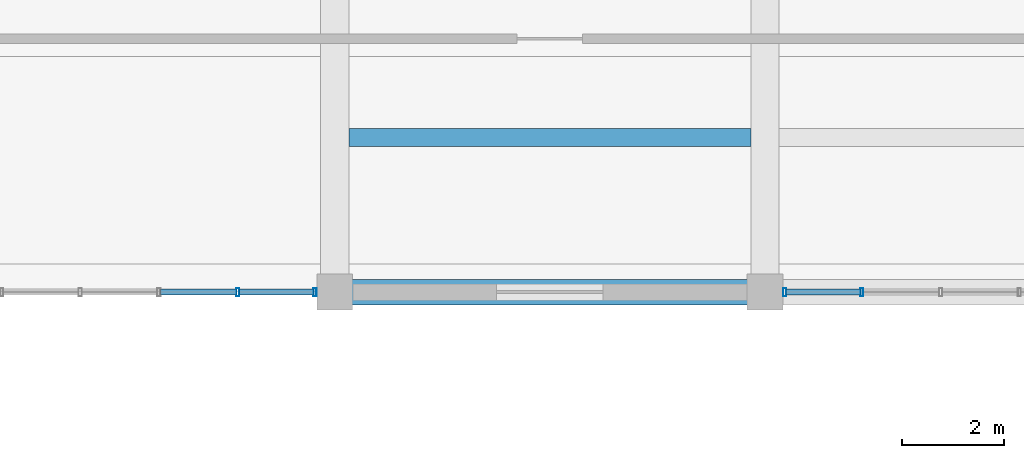
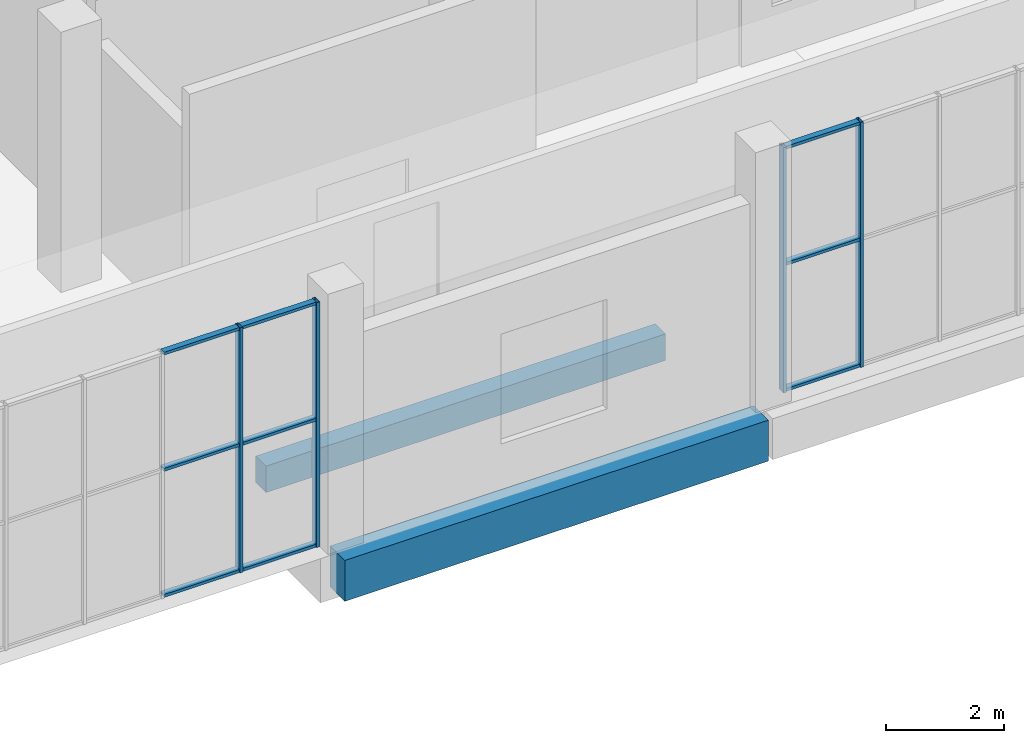
# One storey, part 45 of 91: 13 members, 2 beams, 2 elements without a shape of their own.
"""IFC4 building model written with IfcOpenShell, lengths in metres."""

from ifc_helpers import new_model, si_unit, direction, frame, origin, origin_2d, place, context, subcontext, project, spatial, rectangle, hollow_rectangle, extrude, material, material_profile, profile_set, type_object, element, aggregate, save


model = new_model("IFC4")

# Units and contexts
model_context = context("Model", 3, precision=1e-05, world=origin(), true_north=direction((0.0, 1.0)))
body_context = subcontext(model_context, "Body", "Model", "MODEL_VIEW")
ifc_project = project(units=[si_unit("LENGTHUNIT", "METRE"), si_unit("AREAUNIT", "SQUARE_METRE"), si_unit("VOLUMEUNIT", "CUBIC_METRE"), si_unit("PLANEANGLEUNIT", "RADIAN"), si_unit("MASSUNIT", "GRAM", prefix="KILO")], contexts=[model_context])

# Site, building, storey
site_placement = place(None, origin())
site = spatial("IfcSite", under=ifc_project, at=site_placement, CompositionType="ELEMENT")
building_placement = place(site_placement, origin())
building = spatial("IfcBuilding", under=site, at=building_placement, Name="Khurvash Pelagic Aquarium", CompositionType="ELEMENT")
storey_placement = place(building_placement, origin())
storey = spatial("IfcBuildingStorey", under=building, at=storey_placement, Name="L00", CompositionType="ELEMENT", Elevation=0.0)

# Curtain wall, members
ifc_material_1 = material(Name="Anodised aluminium and low-E laminated glass", Category="aluminium")
curtain_wall_type = type_object("IfcCurtainWallType", Name="CW-02", PredefinedType="USERDEFINED", material=ifc_material_1)
curtain_wall_1_placement = place(storey_placement, origin())
curtain_wall_1 = element("IfcCurtainWall", 1, at=curtain_wall_1_placement, inside=storey, type_object=curtain_wall_type, Name="L00 Facade Unitised Curtain Wall CW-02 0083", ObjectType="UNITISED CURTAIN WALL", PredefinedType="USERDEFINED")
ifc_material_2 = material(Name="Extruded aluminium AW-6063-T6", Category="aluminium")
ifc_material_profile_1 = material_profile(ifc_material_2, hollow_rectangle(XDim=0.06005859375, YDim=0.159912109375, WallThickness=0.00390625, at=origin_2d()), Name="CWM60X160X4")
ifc_profile_set_1 = profile_set([ifc_material_profile_1], Name="Extruded aluminium AW-6063-T6")
member_type_1 = type_object("IfcMemberType", Name="CM-02", PredefinedType="MULLION", material=ifc_profile_set_1)
member_1_placement = place(storey_placement, frame((65.306884765625, 84.050048828125, 0.0), z_axis=(0.0, 0.0, 1.0), x_axis=(1.0, 0.0, 0.0)))
member_1 = element("IfcMember", 2, at=member_1_placement, type_object=member_type_1, Name="CW-02 mullion 5", PredefinedType="MULLION", context=body_context, shape_type="SweptSolid", body=[
    extrude(hollow_rectangle(XDim=0.06005859375, YDim=0.159912109375, WallThickness=0.00390625, at=origin_2d()), origin(), (0.0, 0.0, 1.0), 5.090087890625),
])
member_2_placement = place(storey_placement, frame((66.81494140625, 84.050048828125, 0.0), z_axis=(0.0, 0.0, 1.0), x_axis=(1.0, 0.0, 0.0)))
member_2 = element("IfcMember", 3, at=member_2_placement, type_object=member_type_1, Name="CW-02 mullion 6", PredefinedType="MULLION", context=body_context, shape_type="SweptSolid", body=[
    extrude(hollow_rectangle(XDim=0.06005859375, YDim=0.159912109375, WallThickness=0.00390625, at=origin_2d()), origin(), (0.0, 0.0, 1.0), 5.090087890625),
])

curtain_wall_2_placement = place(storey_placement, origin())
curtain_wall_2 = element("IfcCurtainWall", 4, at=curtain_wall_2_placement, inside=storey, type_object=curtain_wall_type, Name="L00 Facade Unitised Curtain Wall CW-02 0084", ObjectType="UNITISED CURTAIN WALL", PredefinedType="USERDEFINED")
member_3_placement = place(storey_placement, frame((75.985107421875, 84.050048828125, 0.0), z_axis=(0.0, 0.0, 1.0), x_axis=(1.0, 0.0, 0.0)))
member_3 = element("IfcMember", 5, at=member_3_placement, type_object=member_type_1, Name="CW-02 mullion 1", PredefinedType="MULLION", context=body_context, shape_type="SweptSolid", body=[
    extrude(hollow_rectangle(XDim=0.06005859375, YDim=0.159912109375, WallThickness=0.00390625, at=origin_2d()), origin(), (0.0, 0.0, 1.0), 5.090087890625),
])
member_4_placement = place(storey_placement, frame((77.492919921875, 84.050048828125, 0.0), z_axis=(0.0, 0.0, 1.0), x_axis=(1.0, 0.0, 0.0)))
member_4 = element("IfcMember", 6, at=member_4_placement, type_object=member_type_1, Name="CW-02 mullion 2", PredefinedType="MULLION", context=body_context, shape_type="SweptSolid", body=[
    extrude(hollow_rectangle(XDim=0.06005859375, YDim=0.159912109375, WallThickness=0.00390625, at=origin_2d()), origin(), (0.0, 0.0, 1.0), 5.090087890625),
])

# Member
ifc_material_profile_2 = material_profile(ifc_material_2, hollow_rectangle(XDim=0.1201171875, YDim=0.06005859375, WallThickness=0.00390625, at=origin_2d()), Name="CWT120X60X4")
ifc_profile_set_2 = profile_set([ifc_material_profile_2], Name="Extruded aluminium AW-6063-T6")
member_type_2 = type_object("IfcMemberType", Name="CT-02", PredefinedType="USERDEFINED", material=ifc_profile_set_2)
member_5_placement = place(storey_placement, frame((63.799072265625, 84.050048828125, 0.030029296875), z_axis=(1.0, 0.0, 0.0), x_axis=(0.0, 1.0, 0.0)))
member_5 = element("IfcMember", 7, at=member_5_placement, type_object=member_type_2, Name="CW-02 transom 4.1", ObjectType="TRANSOM", PredefinedType="USERDEFINED", context=body_context, shape_type="SweptSolid", body=[
    extrude(hollow_rectangle(XDim=0.1201171875, YDim=0.06005859375, WallThickness=0.00390625, at=origin_2d()), origin(), (0.0, 0.0, 1.0), 1.47802734375),
])

member_6_placement = place(storey_placement, frame((63.799072265625, 84.050048828125, 2.64697265625), z_axis=(1.0, 0.0, 0.0), x_axis=(0.0, 1.0, 0.0)))
member_6 = element("IfcMember", 8, at=member_6_placement, type_object=member_type_2, Name="CW-02 transom 4.2", ObjectType="TRANSOM", PredefinedType="USERDEFINED", context=body_context, shape_type="SweptSolid", body=[
    extrude(hollow_rectangle(XDim=0.1201171875, YDim=0.06005859375, WallThickness=0.00390625, at=origin_2d()), origin(), (0.0, 0.0, 1.0), 1.47802734375),
])

member_7_placement = place(storey_placement, frame((63.799072265625, 84.050048828125, 5.06005859375), z_axis=(1.0, 0.0, 0.0), x_axis=(0.0, 1.0, 0.0)))
member_7 = element("IfcMember", 9, at=member_7_placement, type_object=member_type_2, Name="CW-02 transom 4.3", ObjectType="TRANSOM", PredefinedType="USERDEFINED", context=body_context, shape_type="SweptSolid", body=[
    extrude(hollow_rectangle(XDim=0.1201171875, YDim=0.06005859375, WallThickness=0.00390625, at=origin_2d()), origin(), (0.0, 0.0, 1.0), 1.47802734375),
])

member_8_placement = place(storey_placement, frame((65.3369140625, 84.050048828125, 0.030029296875), z_axis=(1.0, 0.0, 0.0), x_axis=(0.0, 1.0, 0.0)))
member_8 = element("IfcMember", 10, at=member_8_placement, type_object=member_type_2, Name="CW-02 transom 5.1", ObjectType="TRANSOM", PredefinedType="USERDEFINED", context=body_context, shape_type="SweptSolid", body=[
    extrude(hollow_rectangle(XDim=0.1201171875, YDim=0.06005859375, WallThickness=0.00390625, at=origin_2d()), origin(), (0.0, 0.0, 1.0), 1.447998046875),
])

member_9_placement = place(storey_placement, frame((65.3369140625, 84.050048828125, 2.64697265625), z_axis=(1.0, 0.0, 0.0), x_axis=(0.0, 1.0, 0.0)))
member_9 = element("IfcMember", 11, at=member_9_placement, type_object=member_type_2, Name="CW-02 transom 5.2", ObjectType="TRANSOM", PredefinedType="USERDEFINED", context=body_context, shape_type="SweptSolid", body=[
    extrude(hollow_rectangle(XDim=0.1201171875, YDim=0.06005859375, WallThickness=0.00390625, at=origin_2d()), origin(), (0.0, 0.0, 1.0), 1.447998046875),
])

member_10_placement = place(storey_placement, frame((65.3369140625, 84.050048828125, 5.06005859375), z_axis=(1.0, 0.0, 0.0), x_axis=(0.0, 1.0, 0.0)))
member_10 = element("IfcMember", 12, at=member_10_placement, type_object=member_type_2, Name="CW-02 transom 5.3", ObjectType="TRANSOM", PredefinedType="USERDEFINED", context=body_context, shape_type="SweptSolid", body=[
    extrude(hollow_rectangle(XDim=0.1201171875, YDim=0.06005859375, WallThickness=0.00390625, at=origin_2d()), origin(), (0.0, 0.0, 1.0), 1.447998046875),
])

aggregate(curtain_wall_1, [member_1, member_2, member_5, member_6, member_7, member_8, member_9, member_10])

member_11_placement = place(storey_placement, frame((76.014892578125, 84.050048828125, 0.030029296875), z_axis=(1.0, 0.0, 0.0), x_axis=(0.0, 1.0, 0.0)))
member_11 = element("IfcMember", 13, at=member_11_placement, type_object=member_type_2, Name="CW-02 transom 1.1", ObjectType="TRANSOM", PredefinedType="USERDEFINED", context=body_context, shape_type="SweptSolid", body=[
    extrude(hollow_rectangle(XDim=0.1201171875, YDim=0.06005859375, WallThickness=0.00390625, at=origin_2d()), origin(), (0.0, 0.0, 1.0), 1.447998046875),
])

member_12_placement = place(storey_placement, frame((76.014892578125, 84.050048828125, 2.64697265625), z_axis=(1.0, 0.0, 0.0), x_axis=(0.0, 1.0, 0.0)))
member_12 = element("IfcMember", 14, at=member_12_placement, type_object=member_type_2, Name="CW-02 transom 1.2", ObjectType="TRANSOM", PredefinedType="USERDEFINED", context=body_context, shape_type="SweptSolid", body=[
    extrude(hollow_rectangle(XDim=0.1201171875, YDim=0.06005859375, WallThickness=0.00390625, at=origin_2d()), origin(), (0.0, 0.0, 1.0), 1.447998046875),
])

member_13_placement = place(storey_placement, frame((76.014892578125, 84.050048828125, 5.06005859375), z_axis=(1.0, 0.0, 0.0), x_axis=(0.0, 1.0, 0.0)))
member_13 = element("IfcMember", 15, at=member_13_placement, type_object=member_type_2, Name="CW-02 transom 1.3", ObjectType="TRANSOM", PredefinedType="USERDEFINED", context=body_context, shape_type="SweptSolid", body=[
    extrude(hollow_rectangle(XDim=0.1201171875, YDim=0.06005859375, WallThickness=0.00390625, at=origin_2d()), origin(), (0.0, 0.0, 1.0), 1.447998046875),
])

aggregate(curtain_wall_2, [member_3, member_4, member_11, member_12, member_13])

# Beams
ifc_material_3 = material(Name="Concrete C35/45", Category="concrete")
ifc_material_profile_3 = material_profile(ifc_material_3, rectangle(XDim=0.35009765625, YDim=0.550048828125, at=origin_2d()), Name="RC350X550")
ifc_profile_set_3 = profile_set([ifc_material_profile_3], Name="Concrete C35/45")
beam_type_1 = type_object("IfcBeamType", Name="JS-01", PredefinedType="JOIST", material=ifc_profile_set_3)
beam_1_placement = place(storey_placement, frame((67.47509765625, 87.06689453125, -0.594970703125), z_axis=(1.0, 0.0, 0.0), x_axis=(0.0, 1.0, 0.0)))
element("IfcBeam", 16, at=beam_1_placement, inside=storey, type_object=beam_type_1, Name="L00 Floor Joist JS-01 00197", PredefinedType="JOIST", context=body_context, shape_type="SweptSolid", body=[
    extrude(rectangle(XDim=0.35009765625, YDim=0.550048828125, at=origin_2d()), origin(), (0.0, 0.0, 1.0), 7.849853515625),
])
ifc_material_4 = material(Name="Concrete C40/50", Category="concrete")
ifc_material_profile_4 = material_profile(ifc_material_4, rectangle(XDim=0.5, YDim=0.85009765625, at=origin_2d()), Name="RC500X850")
ifc_profile_set_4 = profile_set([ifc_material_profile_4], Name="Concrete C40/50")
beam_type_2 = type_object("IfcBeamType", Name="SEB-03", PredefinedType="SPANDREL", material=ifc_profile_set_4)
beam_2_placement = place(storey_placement, frame((67.239990234375, 84.050048828125, -0.7451171875), z_axis=(1.0, 0.0, 0.0), x_axis=(0.0, 1.0, 0.0)))
element("IfcBeam", 17, at=beam_2_placement, inside=storey, type_object=beam_type_2, Name="L00 Primary Girder SEB-03 00051", PredefinedType="SPANDREL", context=body_context, shape_type="SweptSolid", body=[
    extrude(rectangle(XDim=0.5, YDim=0.85009765625, at=origin_2d()), origin(), (0.0, 0.0, 1.0), 8.320068359375),
])

save(model, "model.ifc")
